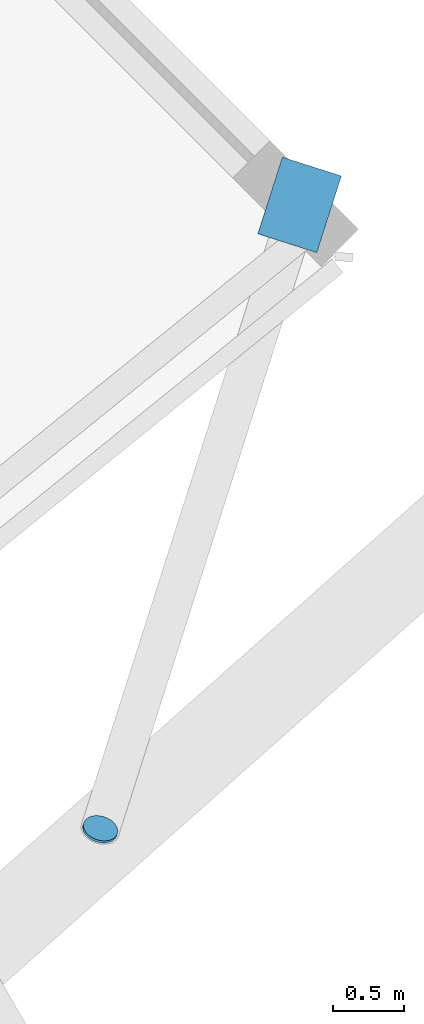
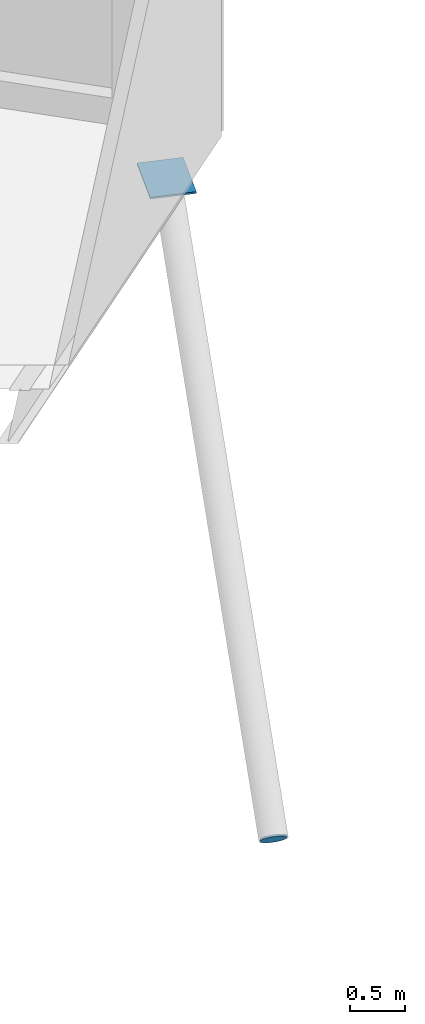
# One storey, part 31 of 35: 2 discrete accessories.
"""IFC4 building model written with IfcOpenShell, lengths in metres."""

from ifc_helpers import new_model, si_unit, direction, frame, origin, origin_2d, place, context, subcontext, project, spatial, polyline, rectangle, circle, outline, extrude, material, material_profile, profile_set, type_object, element, save


model = new_model("IFC4")

# Units and contexts
model_context = context("Model", 3, precision=1e-05, world=origin(), true_north=direction((0.0, 1.0)))
body_context = subcontext(model_context, "Body", "Model", "MODEL_VIEW")
ifc_project = project(units=[si_unit("LENGTHUNIT", "METRE"), si_unit("AREAUNIT", "SQUARE_METRE"), si_unit("VOLUMEUNIT", "CUBIC_METRE"), si_unit("PLANEANGLEUNIT", "RADIAN"), si_unit("MASSUNIT", "GRAM", prefix="KILO")], contexts=[model_context])

# Site, building, storey
site_placement = place(None, origin())
site = spatial("IfcSite", under=ifc_project, at=site_placement, CompositionType="ELEMENT")
building_placement = place(site_placement, origin())
building = spatial("IfcBuilding", under=site, at=building_placement, Name="Rimbun Link Towers", CompositionType="ELEMENT")
storey_placement = place(building_placement, frame((0.0, 0.0, 146.800048828125)))
storey = spatial("IfcBuildingStorey", under=building, at=storey_placement, Name="L35", CompositionType="ELEMENT", Elevation=146.800048828125)

# Discrete accessories
ifc_material_1 = material(Name="Steel S355J2H", Category="steel")
ifc_material_profile_1 = material_profile(ifc_material_1, circle(Radius=0.1240234375, at=origin_2d()), Name="PL D248")
ifc_profile_set_1 = profile_set([ifc_material_profile_1], Name="Steel S355J2H")
discrete_accessory_type_1 = type_object("IfcDiscreteAccessoryType", Name="Link foot sealing plate D248X20", PredefinedType="BRACKET", material=ifc_profile_set_1)
discrete_accessory_1_placement = place(storey_placement, frame((44.472900390625, -18.363525390625, -4.8681640625), z_axis=(-0.221598261801, -0.701727829036, -0.677105799947), x_axis=(0.953582665134, -0.301131367937, 0.0)))
element("IfcDiscreteAccessory", 1, at=discrete_accessory_1_placement, inside=storey, type_object=discrete_accessory_type_1, Name="Link foot sealing plate T2 L35 18", PredefinedType="BRACKET", context=body_context, shape_type="SweptSolid", body=[
    extrude(circle(Radius=0.1240234375, at=origin_2d()), origin(), (0.0, 0.0, 1.0), 0.019775390625),
])
ifc_material_2 = material(Name="Steel S355J2H", Category="steel")
ifc_material_profile_2 = material_profile(ifc_material_2, rectangle(XDim=0.43310546875, YDim=0.43310546875, at=origin_2d()), Name="PL 433x433")
ifc_profile_set_2 = profile_set([ifc_material_profile_2], Name="Steel S355J2H")
discrete_accessory_type_2 = type_object("IfcDiscreteAccessoryType", Name="Link head end plate 433X20", PredefinedType="BRACKET", material=ifc_profile_set_2)
discrete_accessory_2_placement = place(storey_placement, frame((0.0, 0.0, -0.653564453125)))
element("IfcDiscreteAccessory", 2, at=discrete_accessory_2_placement, inside=storey, type_object=discrete_accessory_type_2, Name="Link head end plate T2 L35 18", PredefinedType="BRACKET", context=body_context, shape_type="SweptSolid", body=[
    extrude(outline(polyline([(45.744384765625, -13.670166015625), (45.5732421875, -14.206298828125), (45.985595703125, -14.338134765625), (46.156982421875, -13.8017578125), (45.744384765625, -13.670166015625)])), origin(), (0.0, 0.0, 1.0), 0.02001953125),
])

save(model, "model.ifc")
